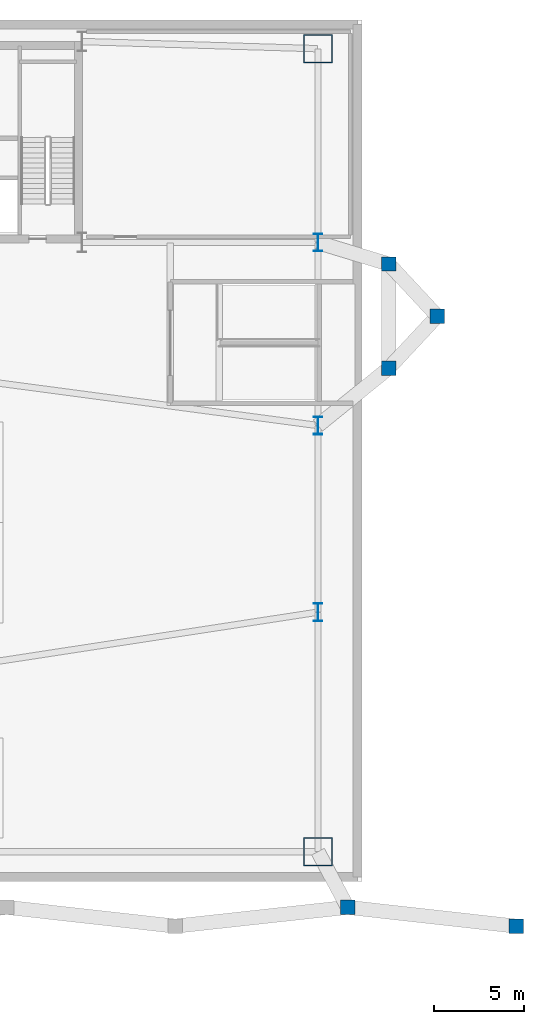
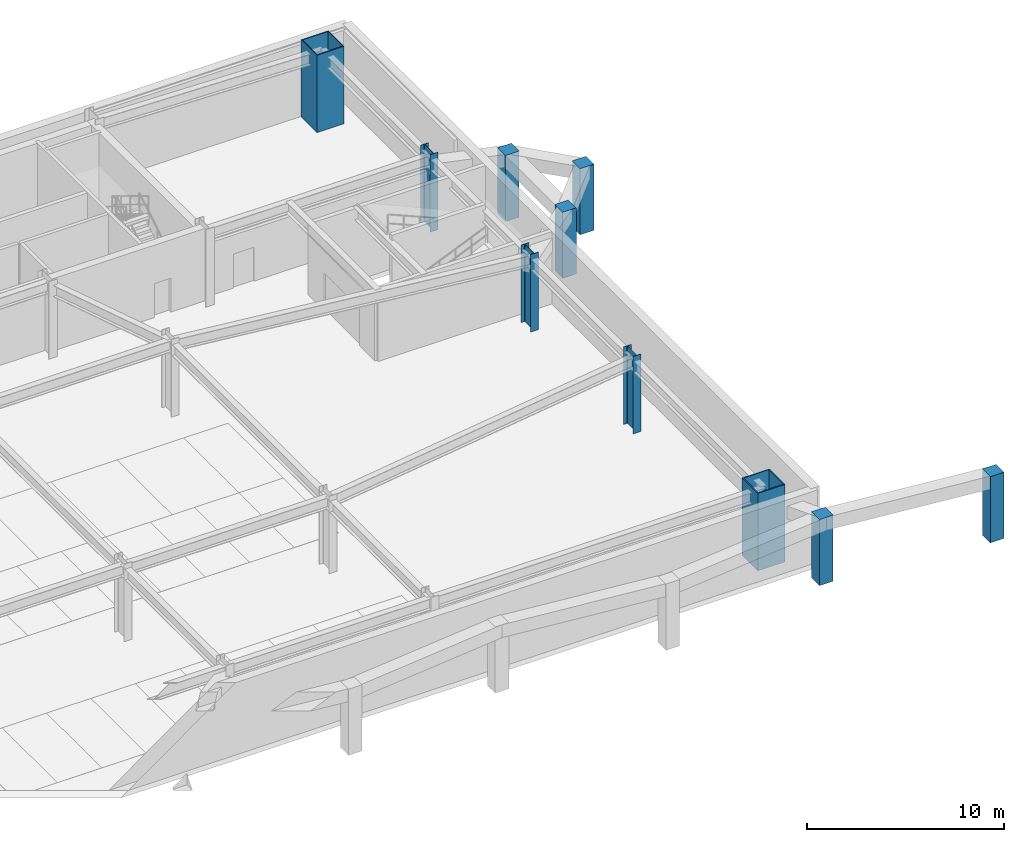
# One storey, part 2 of 9: 10 columns.
"""IFC4 building model written with IfcOpenShell, lengths in metres."""

from ifc_helpers import new_model, si_unit, direction, frame, origin, origin_2d, place, context, subcontext, project, spatial, rectangle, hollow_rectangle, i_section, extrude, source, transform, mapped, material, material_profile, profile_set, type_object, type_shapes, element, save


model = new_model("IFC4")

# Units and contexts
model_context = context("Model", 3, precision=1e-05, world=origin(), true_north=direction((0.0, 1.0)))
body_context = subcontext(model_context, "Body", "Model", "MODEL_VIEW")
ifc_project = project(units=[si_unit("LENGTHUNIT", "METRE"), si_unit("AREAUNIT", "SQUARE_METRE"), si_unit("VOLUMEUNIT", "CUBIC_METRE"), si_unit("PLANEANGLEUNIT", "RADIAN"), si_unit("MASSUNIT", "GRAM", prefix="KILO")], contexts=[model_context])

# Site, building, storey
site_placement = place(None, origin())
site = spatial("IfcSite", under=ifc_project, at=site_placement, CompositionType="ELEMENT")
building_placement = place(site_placement, origin())
building = spatial("IfcBuilding", under=site, at=building_placement, Name="Varnel Quay Broadcast Tower", CompositionType="ELEMENT")
storey_placement = place(building_placement, frame((0.0, 0.0, -4.800048828125)))
storey = spatial("IfcBuildingStorey", under=building, at=storey_placement, Name="B1", CompositionType="ELEMENT", Elevation=-4.800048828125)

# Columns
ifc_material_1 = material(Name="Concrete CSA A23.3 C50/60", Category="concrete")
ifc_material_profile_1 = material_profile(ifc_material_1, rectangle(XDim=0.800048828125, YDim=0.800048828125, at=origin_2d()), Name="RC800X800")
ifc_profile_set_1 = profile_set([ifc_material_profile_1], Name="Concrete CSA A23.3 C50/60")
column_type_1 = type_object("IfcColumnType", Name="Col_RC800X800", PredefinedType="COLUMN", material=ifc_profile_set_1)
shared_shape_1 = source(origin(), body_context, "Body", "SweptSolid", [
    extrude(rectangle(XDim=0.800048828125, YDim=0.800048828125, at=origin_2d()), origin(), (0.0, 0.0, 1.0), 4.10009765625),
])
type_shapes(column_type_1, [shared_shape_1])
for number, where, z_axis, x_axis, name in (
    (1, (67.199951171875, -1.449951171875, 0.0), (0.0, 0.0, 1.0), (1.0, 0.0, 0.0), "B1 Exterior Pier Column PRM09"),
    (2, (76.60009765625, -2.5, 0.0), (0.0, 0.0, 1.0), (1.0, 0.0, 0.0), "B1 Exterior Pier Column PRM10"),
    (3, (69.5, 28.60009765625, 0.0), (0.0, 0.0, 1.0), (1.0, 0.0, 0.0), "B1 Exterior Pier Column EAPR1"),
    (4, (69.5, 34.39990234375, 0.0), (0.0, 0.0, 1.0), (1.0, 0.0, 0.0), "B1 Exterior Pier Column EAPR2"),
    (5, (72.199951171875, 31.5, 0.0), (0.0, 0.0, 1.0), (1.0, 0.0, 0.0), "B1 Exterior Pier Column EAPR3"),
):
    element("IfcColumn", number, at=place(storey_placement, frame(where, z_axis=z_axis, x_axis=x_axis)), inside=storey, type_object=column_type_1, Name=name, PredefinedType="COLUMN", context=body_context, shape_type="MappedRepresentation", body=[
        mapped(shared_shape_1, transform((0.0, 0.0, 0.0), x_axis=(1.0, 0.0, 0.0), y_axis=(0.0, 1.0, 0.0), z_axis=(0.0, 0.0, 1.0), scale=1.0)),
    ])
ifc_material_2 = material(Name="Structural Steel CSA G40.21 350WT", Category="steel")
ifc_material_profile_2 = material_profile(ifc_material_2, hollow_rectangle(XDim=1.60009765625, YDim=1.60009765625, WallThickness=0.06005859375, at=origin_2d()), Name="BOX1600X1600X60")
ifc_profile_set_2 = profile_set([ifc_material_profile_2], Name="Structural Steel CSA G40.21 350WT")
column_type_2 = type_object("IfcColumnType", Name="Col_BOX1600X1600X60", PredefinedType="COLUMN", material=ifc_profile_set_2)
shared_shape_2 = source(origin(), body_context, "Body", "SweptSolid", [
    extrude(hollow_rectangle(XDim=1.60009765625, YDim=1.60009765625, WallThickness=0.06005859375, at=origin_2d()), origin(), (0.0, 0.0, 1.0), 4.800048828125),
])
type_shapes(column_type_2, [shared_shape_2])
for number, where, z_axis, x_axis, name in (
    (6, (65.550048828125, 1.64990234375, 0.0), (0.0, 0.0, 1.0), (1.0, 0.0, 0.0), "B1 Column MC-SE"),
    (7, (65.550048828125, 46.39990234375, 0.0), (0.0, 0.0, 1.0), (1.0, 0.0, 0.0), "B1 Column MC-NE"),
):
    element("IfcColumn", number, at=place(storey_placement, frame(where, z_axis=z_axis, x_axis=x_axis)), inside=storey, type_object=column_type_2, Name=name, PredefinedType="COLUMN", context=body_context, shape_type="MappedRepresentation", body=[
        mapped(shared_shape_2, transform((0.0, 0.0, 0.0), x_axis=(1.0, 0.0, 0.0), y_axis=(0.0, 1.0, 0.0), z_axis=(0.0, 0.0, 1.0), scale=1.0)),
    ])
ifc_material_profile_3 = material_profile(ifc_material_2, i_section(OverallWidth=0.449951171875, OverallDepth=1.0, WebThickness=0.01611328125, FlangeThickness=0.030029296875, FilletRadius=0.01611328125, at=origin_2d()), Name="WWF1000X362")
ifc_profile_set_3 = profile_set([ifc_material_profile_3], Name="Structural Steel CSA G40.21 350WT")
column_type_3 = type_object("IfcColumnType", Name="Col_WWF1000X362", PredefinedType="COLUMN", material=ifc_profile_set_3)
shared_shape_3 = source(origin(), body_context, "Body", "SweptSolid", [
    extrude(i_section(OverallWidth=0.449951171875, OverallDepth=1.0, WebThickness=0.01611328125, FlangeThickness=0.030029296875, FilletRadius=0.01611328125, at=origin_2d()), origin(), (0.0, 0.0, 1.0), 4.800048828125),
])
type_shapes(column_type_3, [shared_shape_3])
for number, where, z_axis, x_axis, name in (
    (8, (65.550048828125, 15.0, 0.0), (0.0, 0.0, 1.0), (1.0, 0.0, 0.0), "B1 Column PC-12"),
    (9, (65.550048828125, 25.39990234375, 0.0), (0.0, 0.0, 1.0), (1.0, 0.0, 0.0), "B1 Column PC-13"),
    (10, (65.550048828125, 35.60009765625, 0.0), (0.0, 0.0, 1.0), (1.0, 0.0, 0.0), "B1 Column PC-14"),
):
    element("IfcColumn", number, at=place(storey_placement, frame(where, z_axis=z_axis, x_axis=x_axis)), inside=storey, type_object=column_type_3, Name=name, PredefinedType="COLUMN", context=body_context, shape_type="MappedRepresentation", body=[
        mapped(shared_shape_3, transform((0.0, 0.0, 0.0), x_axis=(1.0, 0.0, 0.0), y_axis=(0.0, 1.0, 0.0), z_axis=(0.0, 0.0, 1.0), scale=1.0)),
    ])

save(model, "model.ifc")
